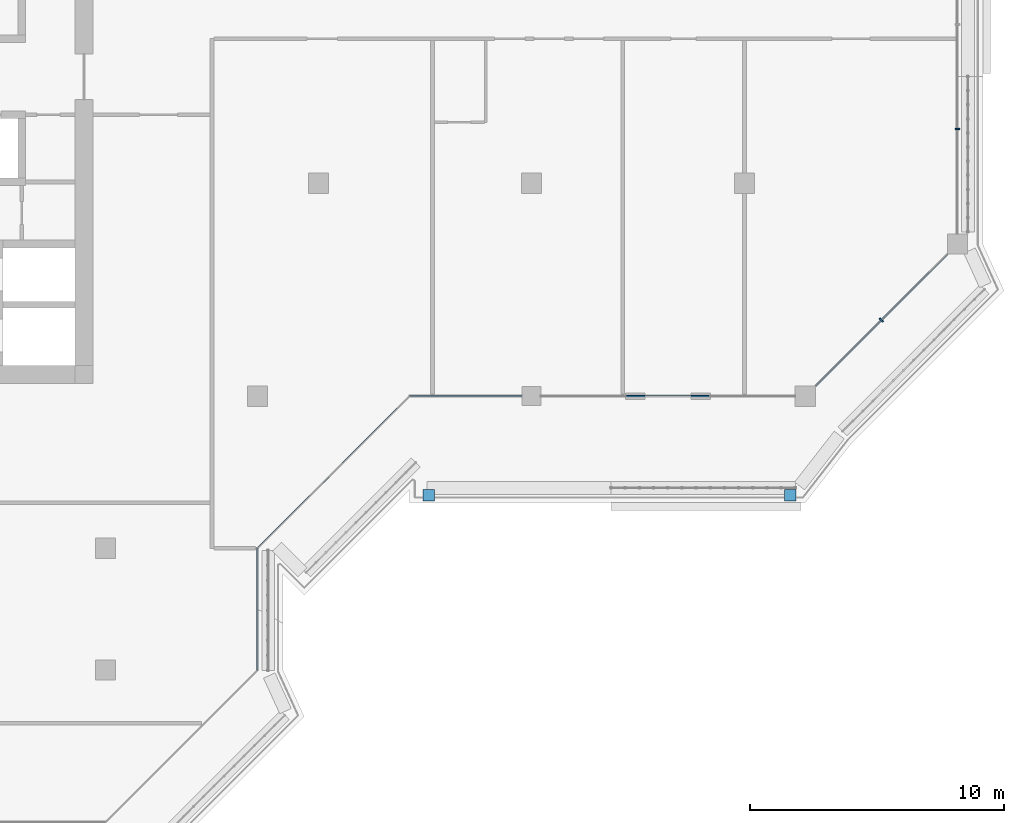
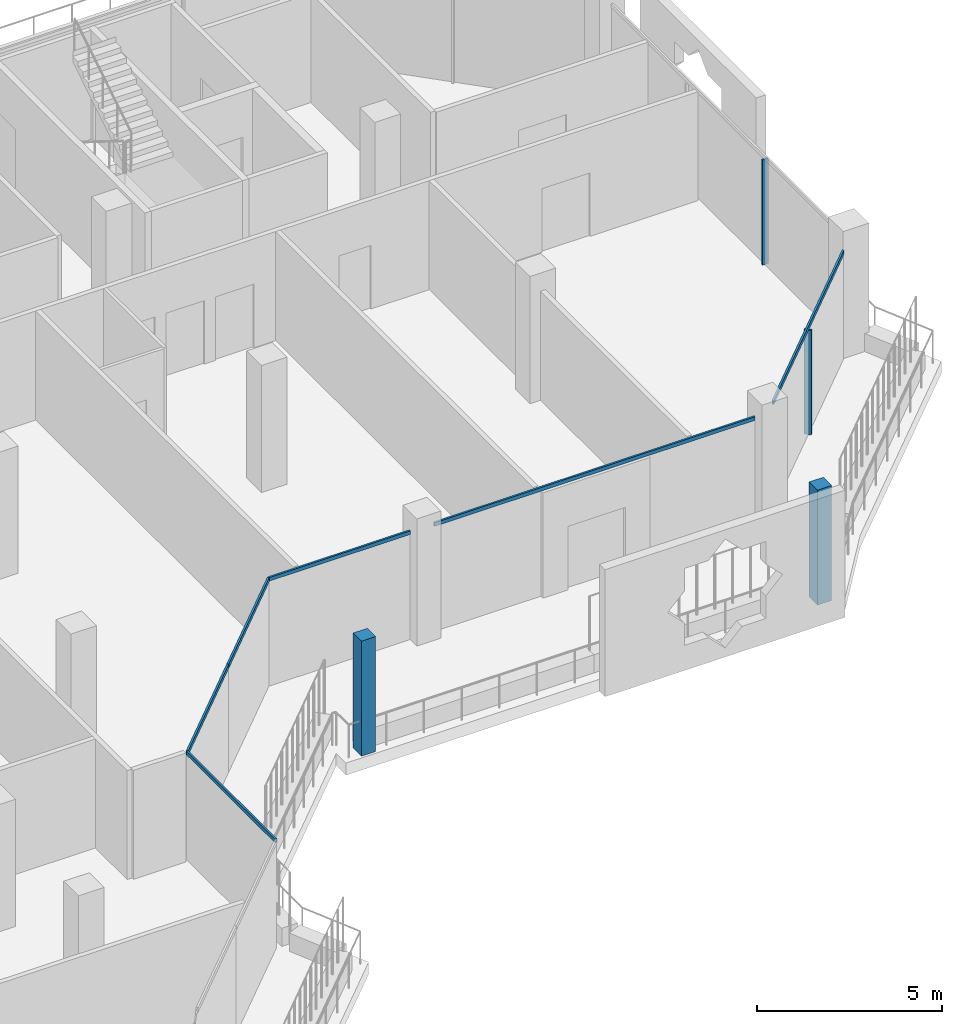
# One storey, part 5 of 21: 10 members, 6 elements without a shape of their own.
"""IFC4 building model written with IfcOpenShell, lengths in metres."""

from ifc_helpers import new_model, si_unit, direction, frame, origin, origin_2d, place, context, subcontext, project, spatial, rectangle, extrude, material, layer, layer_set, material_profile, profile_set, type_object, element, aggregate, save


model = new_model("IFC4")

# Units and contexts
model_context = context("Model", 3, precision=1e-05, world=origin(), true_north=direction((0.0, 1.0)))
body_context = subcontext(model_context, "Body", "Model", "MODEL_VIEW")
ifc_project = project(units=[si_unit("LENGTHUNIT", "METRE"), si_unit("AREAUNIT", "SQUARE_METRE"), si_unit("VOLUMEUNIT", "CUBIC_METRE"), si_unit("PLANEANGLEUNIT", "RADIAN"), si_unit("MASSUNIT", "GRAM", prefix="KILO")], contexts=[model_context])

# Site, building, storey
site_placement = place(None, origin())
site = spatial("IfcSite", under=ifc_project, at=site_placement, CompositionType="ELEMENT")
building_placement = place(site_placement, origin())
building = spatial("IfcBuilding", under=site, at=building_placement, Name="Kawkab Arch Medical Tower", CompositionType="ELEMENT")
storey_placement = place(building_placement, frame((0.0, 0.0, 302.800048828125)))
storey = spatial("IfcBuildingStorey", under=building, at=storey_placement, Name="L70", CompositionType="ELEMENT", Elevation=302.800048828125)

# Curtain wall, member
ifc_material_1 = material(Name="Bronze anodised aluminium curtain wall frame", Category="aluminium")
ifc_layer_1 = layer(ifc_material_1, 0.159912109375)
ifc_layer_set_1 = layer_set([ifc_layer_1], Name="Bronze anodised aluminium curtain wall frame")
curtain_wall_type_1 = type_object("IfcCurtainWallType", Name="CW1 ward curtain wall", PredefinedType="NOTDEFINED", material=ifc_layer_set_1)
placement = place(storey_placement, origin())
curtain_wall_1 = element("IfcCurtainWall", 1, at=placement, inside=storey, type_object=curtain_wall_type_1, Name="CW1 Ward curtain wall R13", PredefinedType="NOTDEFINED")
ifc_material_2 = material(Name="Bronze anodised aluminium curtain wall frame", Category="aluminium")
ifc_material_profile_1 = material_profile(ifc_material_2, rectangle(XDim=0.179931640625, YDim=0.06005859375, at=origin_2d()), Name="AL 60x180")
ifc_profile_set_1 = profile_set([ifc_material_profile_1], Name="Bronze anodised aluminium curtain wall frame")
member_type_1 = type_object("IfcMemberType", Name="CW1 mullion 60 x 180", PredefinedType="MULLION", material=ifc_profile_set_1)
member_1_placement = place(storey_placement, frame((58.800048828125, -14.666748046875, 0.0), z_axis=(0.0, 0.0, 1.0), x_axis=(-1.0, 0.0, 0.0)))
member_1 = element("IfcMember", 2, at=member_1_placement, type_object=member_type_1, Name="CW1 mullion 1.1", PredefinedType="MULLION", context=body_context, shape_type="SweptSolid", body=[
    extrude(rectangle(XDim=0.179931640625, YDim=0.06005859375, at=origin_2d()), origin(), (0.0, 0.0, 1.0), 3.47998046875),
])
aggregate(curtain_wall_1, [member_1])

curtain_wall_2 = element("IfcCurtainWall", 3, at=placement, inside=storey, type_object=curtain_wall_type_1, Name="CW1 Ward curtain wall R09", PredefinedType="NOTDEFINED")
ifc_material_3 = material(Name="Bronze anodised aluminium curtain wall frame", Category="aluminium")
ifc_material_profile_2 = material_profile(ifc_material_3, rectangle(XDim=0.06005859375, YDim=0.1201171875, at=origin_2d()), Name="AL 60x120")
ifc_profile_set_2 = profile_set([ifc_material_profile_2], Name="Bronze anodised aluminium curtain wall frame")
member_type_2 = type_object("IfcMemberType", Name="CW1 transom 120 x 60", PredefinedType="USERDEFINED", material=ifc_profile_set_2)
member_2_placement = place(storey_placement, frame((31.199951171875, -36.0, 3.5400390625), z_axis=(0.0, 1.0, 0.0), x_axis=(-1.0, 0.0, 0.0)))
member_2 = element("IfcMember", 4, at=member_2_placement, type_object=member_type_2, Name="CW1 transom 1", ObjectType="TRANSOM", PredefinedType="USERDEFINED", context=body_context, shape_type="SweptSolid", body=[
    extrude(rectangle(XDim=0.06005859375, YDim=0.1201171875, at=origin_2d()), origin(), (0.0, 0.0, 1.0), 4.800048828125),
])
aggregate(curtain_wall_2, [member_2])

# Curtain wall, members
curtain_wall_3 = element("IfcCurtainWall", 5, at=placement, inside=storey, type_object=curtain_wall_type_1, Name="CW1 Ward curtain wall R11", PredefinedType="NOTDEFINED")
member_3_placement = place(storey_placement, frame((37.199951171875, -25.199951171875, 3.5400390625), z_axis=(1.0, 0.0, 0.0), x_axis=(0.0, 1.0, 0.0)))
member_3 = element("IfcMember", 6, at=member_3_placement, type_object=member_type_2, Name="CW1 transom 1", ObjectType="TRANSOM", PredefinedType="USERDEFINED", context=body_context, shape_type="SweptSolid", body=[
    extrude(rectangle(XDim=0.06005859375, YDim=0.1201171875, at=origin_2d()), origin(), (0.0, 0.0, 1.0), 4.425048828125),
])
member_4_placement = place(storey_placement, frame((42.375, -25.199951171875, 3.5400390625), z_axis=(1.0, 0.0, 0.0), x_axis=(0.0, 1.0, 0.0)))
member_4 = element("IfcMember", 7, at=member_4_placement, type_object=member_type_2, Name="CW1 transom 2", ObjectType="TRANSOM", PredefinedType="USERDEFINED", context=body_context, shape_type="SweptSolid", body=[
    extrude(rectangle(XDim=0.06005859375, YDim=0.1201171875, at=origin_2d()), origin(), (0.0, 0.0, 1.0), 10.02490234375),
])
aggregate(curtain_wall_3, [member_3, member_4])

# Curtain wall, member
ifc_material_4 = material(Name="Bronze anodised aluminium curtain wall frame", Category="aluminium")
ifc_layer_2 = layer(ifc_material_4, 0.159912109375)
ifc_layer_set_2 = layer_set([ifc_layer_2], Name="Bronze anodised aluminium curtain wall frame")
curtain_wall_type_2 = type_object("IfcCurtainWallType", Name="CW2 chamfer curtain wall", PredefinedType="NOTDEFINED", material=ifc_layer_set_2)
curtain_wall_4 = element("IfcCurtainWall", 8, at=placement, inside=storey, type_object=curtain_wall_type_2, Name="CW2 Chamfer curtain wall R12", PredefinedType="NOTDEFINED")
ifc_material_5 = material(Name="Bronze anodised aluminium curtain wall frame", Category="aluminium")
ifc_material_profile_3 = material_profile(ifc_material_5, rectangle(XDim=0.199951171875, YDim=0.06005859375, at=origin_2d()), Name="AL 60x200")
ifc_profile_set_3 = profile_set([ifc_material_profile_3], Name="Bronze anodised aluminium curtain wall frame")
member_type_3 = type_object("IfcMemberType", Name="CW2 mullion 60 x 200", PredefinedType="MULLION", material=ifc_profile_set_3)
member_5_placement = place(storey_placement, frame((55.800048828125, -22.199951171875, 0.0), z_axis=(0.0, 0.0, 1.0), x_axis=(-0.707106781187, 0.707106781187, 0.0)))
member_5 = element("IfcMember", 9, at=member_5_placement, type_object=member_type_3, Name="CW2 mullion 1.1", PredefinedType="MULLION", context=body_context, shape_type="SweptSolid", body=[
    extrude(rectangle(XDim=0.199951171875, YDim=0.06005859375, at=origin_2d()), origin(), (0.0, 0.0, 1.0), 3.4599609375),
])

# Curtain wall, members
curtain_wall_5 = element("IfcCurtainWall", 10, at=placement, inside=storey, type_object=curtain_wall_type_2, Name="CW2 Chamfer curtain wall R10", PredefinedType="NOTDEFINED")
ifc_material_6 = material(Name="Bronze anodised aluminium curtain wall frame", Category="aluminium")
ifc_material_profile_4 = material_profile(ifc_material_6, rectangle(XDim=0.06005859375, YDim=0.139892578125, at=origin_2d()), Name="AL 60x140")
ifc_profile_set_4 = profile_set([ifc_material_profile_4], Name="Bronze anodised aluminium curtain wall frame")
member_type_4 = type_object("IfcMemberType", Name="CW2 transom 140 x 60", PredefinedType="USERDEFINED", material=ifc_profile_set_4)
member_6_placement = place(storey_placement, frame((31.199951171875, -31.199951171875, 3.530029296875), z_axis=(0.707106781187, 0.707106781187, 0.0), x_axis=(-0.707106781187, 0.707106781187, 0.0)))
member_6 = element("IfcMember", 11, at=member_6_placement, type_object=member_type_4, Name="CW2 transom 1", ObjectType="TRANSOM", PredefinedType="USERDEFINED", context=body_context, shape_type="SweptSolid", body=[
    extrude(rectangle(XDim=0.06005859375, YDim=0.139892578125, at=origin_2d()), origin(), (0.0, 0.0, 1.0), 4.24267578125),
])
member_7_placement = place(storey_placement, frame((34.199951171875, -28.199951171875, 3.530029296875), z_axis=(0.707106781187, 0.707106781187, 0.0), x_axis=(-0.707106781187, 0.707106781187, 0.0)))
member_7 = element("IfcMember", 12, at=member_7_placement, type_object=member_type_4, Name="CW2 transom 2", ObjectType="TRANSOM", PredefinedType="USERDEFINED", context=body_context, shape_type="SweptSolid", body=[
    extrude(rectangle(XDim=0.06005859375, YDim=0.139892578125, at=origin_2d()), origin(), (0.0, 0.0, 1.0), 4.24267578125),
])
aggregate(curtain_wall_5, [member_6, member_7])

# Member
member_8_placement = place(storey_placement, frame((53.199951171875, -24.800048828125, 3.530029296875), z_axis=(0.707106781187, 0.707106781187, 0.0), x_axis=(-0.707106781187, 0.707106781187, 0.0)))
member_8 = element("IfcMember", 13, at=member_8_placement, type_object=member_type_4, Name="CW2 transom 1", ObjectType="TRANSOM", PredefinedType="USERDEFINED", context=body_context, shape_type="SweptSolid", body=[
    extrude(rectangle(XDim=0.06005859375, YDim=0.139892578125, at=origin_2d()), origin(), (0.0, 0.0, 1.0), 7.353759765625),
])

aggregate(curtain_wall_4, [member_8, member_5])

# Curtain wall, members
ifc_material_7 = material(Name="Bronze anodised aluminium climber frame, planted", Category="aluminium")
ifc_layer_3 = layer(ifc_material_7, 0.449951171875)
ifc_layer_set_3 = layer_set([ifc_layer_3], Name="Bronze anodised aluminium climber frame, planted")
curtain_wall_type_3 = type_object("IfcCurtainWallType", Name="Planted climber frame", PredefinedType="NOTDEFINED", material=ifc_layer_set_3)
curtain_wall_6 = element("IfcCurtainWall", 14, at=placement, inside=storey, type_object=curtain_wall_type_3, Name="Planted climber frame L70", PredefinedType="NOTDEFINED")
ifc_material_8 = material(Name="Bronze anodised aluminium climber frame, planted", Category="aluminium")
ifc_material_profile_5 = material_profile(ifc_material_8, rectangle(XDim=0.449951171875, YDim=0.449951171875, at=origin_2d()), Name="Post 450x450")
ifc_profile_set_5 = profile_set([ifc_material_profile_5], Name="Bronze anodised aluminium climber frame, planted")
member_type_5 = type_object("IfcMemberType", Name="Planted climber post 450 x 450", PredefinedType="MULLION", material=ifc_profile_set_5)
member_9_placement = place(storey_placement, frame((52.202880859375, -29.10009765625, 0.0), z_axis=(0.0, 0.0, 1.0), x_axis=(1.0, 0.0, 0.0)))
member_9 = element("IfcMember", 15, at=member_9_placement, type_object=member_type_5, Name="Planted climber post L70.LOG-01-01.5", PredefinedType="MULLION", context=body_context, shape_type="SweptSolid", body=[
    extrude(rectangle(XDim=0.449951171875, YDim=0.449951171875, at=origin_2d()), origin(), (0.0, 0.0, 1.0), 3.800048828125),
])
member_10_placement = place(storey_placement, frame((37.949951171875, -29.10009765625, 0.0), z_axis=(0.0, 0.0, 1.0), x_axis=(1.0, 0.0, 0.0)))
member_10 = element("IfcMember", 16, at=member_10_placement, type_object=member_type_5, Name="Planted climber post L70.LOG-01-01.6", PredefinedType="MULLION", context=body_context, shape_type="SweptSolid", body=[
    extrude(rectangle(XDim=0.449951171875, YDim=0.449951171875, at=origin_2d()), origin(), (0.0, 0.0, 1.0), 3.800048828125),
])
aggregate(curtain_wall_6, [member_9, member_10])

save(model, "model.ifc")
